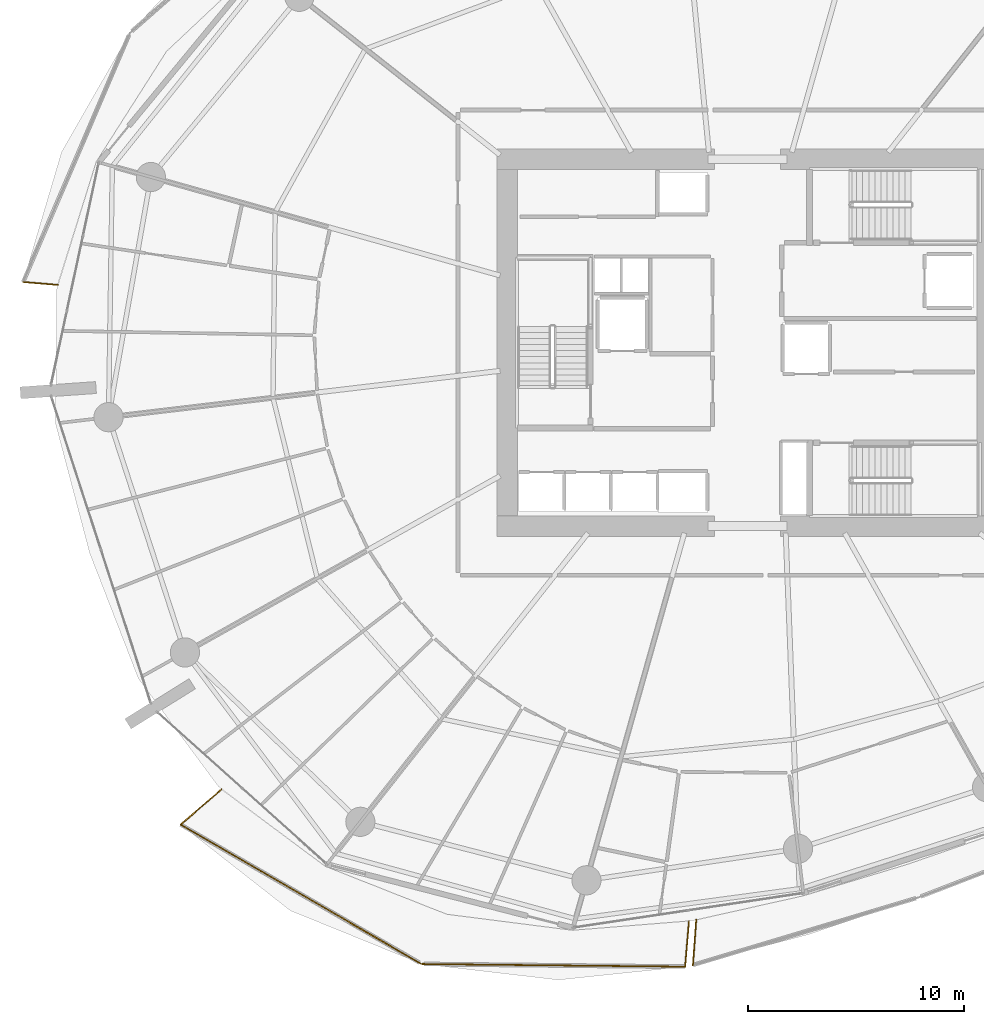
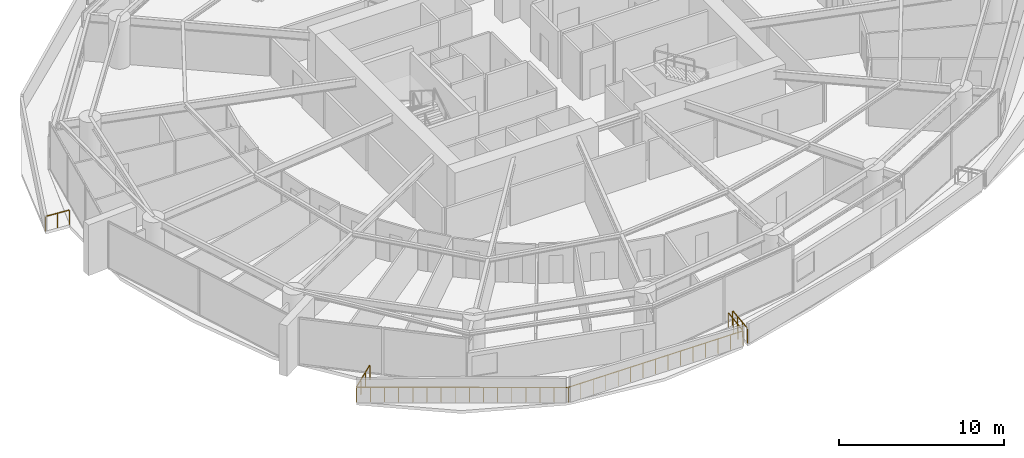
# One storey, part 24 of 30: 6 railings.
"""IFC4 building model written with IfcOpenShell, lengths in metres."""

from ifc_helpers import new_model, si_unit, direction, frame, origin, origin_2d, place, context, subcontext, project, spatial, rectangle, extrude, material, type_object, element, save


model = new_model("IFC4")

# Units and contexts
model_context = context("Model", 3, precision=1e-05, world=origin(), true_north=direction((0.0, 1.0)))
body_context = subcontext(model_context, "Body", "Model", "MODEL_VIEW")
ifc_project = project(units=[si_unit("LENGTHUNIT", "METRE"), si_unit("AREAUNIT", "SQUARE_METRE"), si_unit("VOLUMEUNIT", "CUBIC_METRE"), si_unit("PLANEANGLEUNIT", "RADIAN"), si_unit("MASSUNIT", "GRAM", prefix="KILO")], contexts=[model_context])

# Site, building, storey
site_placement = place(None, origin())
site = spatial("IfcSite", under=ifc_project, at=site_placement, CompositionType="ELEMENT")
building_placement = place(site_placement, origin())
building = spatial("IfcBuilding", under=site, at=building_placement, Name="Kazma Halo Residences", CompositionType="ELEMENT")
storey_placement = place(building_placement, frame((0.0, 0.0, 56.39990234375)))
storey = spatial("IfcBuildingStorey", under=building, at=storey_placement, Name="L13", CompositionType="ELEMENT", Elevation=56.39990234375)

# Railings
ifc_material = material(Name="Aluminium AW-6063 T6 Brushed Cap Rail", Category="aluminium")
railing_type = type_object("IfcRailingType", Name="RLG-BAL-CAP-1120", PredefinedType="BALUSTRADE", material=ifc_material)
railing_1_placement = place(storey_placement, frame((14.953125, 44.80419921875, 0.0)))
element("IfcRailing", 1, at=railing_1_placement, inside=storey, type_object=railing_type, Name="L13 NW wave balcony guard 4", PredefinedType="BALUSTRADE", context=body_context, shape_type="SweptSolid", body=[
    extrude(rectangle(XDim=0.050048828125, YDim=0.050048828125, at=origin_2d()), frame((0.04248046875, -0.003662109375, 1.09521484375), z_axis=(0.996416340817, -0.084584134162, 0.0), x_axis=(0.084584134162, 0.996416340817, 0.0)), (0.0, 0.0, 1.0), 1.516845703125),
    extrude(rectangle(XDim=0.0400390625, YDim=0.0400390625, at=origin_2d()), origin(), (0.0, 0.0, 1.0), 1.05810546875),
    extrude(rectangle(XDim=0.0400390625, YDim=0.0400390625, at=origin_2d()), frame((0.798095703125, -0.06787109375, 0.0)), (0.0, 0.0, 1.0), 1.05810546875),
    extrude(rectangle(XDim=0.0400390625, YDim=0.0400390625, at=origin_2d()), frame((1.59619140625, -0.135498046875, 0.0)), (0.0, 0.0, 1.0), 1.05810546875),
])
railing_2_placement = place(storey_placement, frame((24.124267578125, 21.354736328125, 0.0)))
element("IfcRailing", 2, at=railing_2_placement, inside=storey, type_object=railing_type, Name="L13 SW wave balcony guard 1", PredefinedType="BALUSTRADE", context=body_context, shape_type="SweptSolid", body=[
    extrude(rectangle(XDim=0.050048828125, YDim=0.050048828125, at=origin_2d()), frame((-0.0322265625, -0.02783203125, 1.09521484375), z_axis=(-0.756405022064, -0.65410354119, 0.0), x_axis=(0.65410354119, -0.756405022064, 0.0)), (0.0, 0.0, 1.0), 2.4111328125),
    extrude(rectangle(XDim=0.0400390625, YDim=0.0400390625, at=origin_2d()), origin(), (0.0, 0.0, 1.0), 1.05810546875),
    extrude(rectangle(XDim=0.0400390625, YDim=0.0400390625, at=origin_2d()), frame((-0.62939453125, -0.544189453125, 0.0)), (0.0, 0.0, 1.0), 1.05810546875),
    extrude(rectangle(XDim=0.0400390625, YDim=0.0400390625, at=origin_2d()), frame((-1.2587890625, -1.088623046875, 0.0)), (0.0, 0.0, 1.0), 1.05810546875),
    extrude(rectangle(XDim=0.0400390625, YDim=0.0400390625, at=origin_2d()), frame((-1.88818359375, -1.6328125, 0.0)), (0.0, 0.0, 1.0), 1.05810546875),
])
railing_3_placement = place(storey_placement, frame((22.236083984375, 19.721923828125, 0.0)))
element("IfcRailing", 3, at=railing_3_placement, inside=storey, type_object=railing_type, Name="L13 SW wave balcony guard 2", PredefinedType="BALUSTRADE", context=body_context, shape_type="SweptSolid", body=[
    extrude(rectangle(XDim=0.050048828125, YDim=0.050048828125, at=origin_2d()), frame((0.036865234375, -0.021240234375, 1.09521484375), z_axis=(0.865599969538, -0.500736150818, 0.0), x_axis=(0.500736150818, 0.865599969538, 0.0)), (0.0, 0.0, 1.0), 12.77490234375),
    extrude(rectangle(XDim=0.0400390625, YDim=0.0400390625, at=origin_2d()), origin(), (0.0, 0.0, 1.0), 1.05810546875),
    extrude(rectangle(XDim=0.0400390625, YDim=0.0400390625, at=origin_2d()), frame((0.7421875, -0.42919921875, 0.0)), (0.0, 0.0, 1.0), 1.05810546875),
    extrude(rectangle(XDim=0.0400390625, YDim=0.0400390625, at=origin_2d()), frame((1.484130859375, -0.858642578125, 0.0)), (0.0, 0.0, 1.0), 1.05810546875),
    extrude(rectangle(XDim=0.0400390625, YDim=0.0400390625, at=origin_2d()), frame((2.226318359375, -1.287841796875, 0.0)), (0.0, 0.0, 1.0), 1.05810546875),
    extrude(rectangle(XDim=0.0400390625, YDim=0.0400390625, at=origin_2d()), frame((2.968505859375, -1.71728515625, 0.0)), (0.0, 0.0, 1.0), 1.05810546875),
    extrude(rectangle(XDim=0.0400390625, YDim=0.0400390625, at=origin_2d()), frame((3.71044921875, -2.146484375, 0.0)), (0.0, 0.0, 1.0), 1.05810546875),
    extrude(rectangle(XDim=0.0400390625, YDim=0.0400390625, at=origin_2d()), frame((4.45263671875, -2.57568359375, 0.0)), (0.0, 0.0, 1.0), 1.05810546875),
    extrude(rectangle(XDim=0.0400390625, YDim=0.0400390625, at=origin_2d()), frame((5.19482421875, -3.005126953125, 0.0)), (0.0, 0.0, 1.0), 1.05810546875),
    extrude(rectangle(XDim=0.0400390625, YDim=0.0400390625, at=origin_2d()), frame((5.936767578125, -3.434326171875, 0.0)), (0.0, 0.0, 1.0), 1.05810546875),
    extrude(rectangle(XDim=0.0400390625, YDim=0.0400390625, at=origin_2d()), frame((6.678955078125, -3.86376953125, 0.0)), (0.0, 0.0, 1.0), 1.05810546875),
    extrude(rectangle(XDim=0.0400390625, YDim=0.0400390625, at=origin_2d()), frame((7.421142578125, -4.29296875, 0.0)), (0.0, 0.0, 1.0), 1.05810546875),
    extrude(rectangle(XDim=0.0400390625, YDim=0.0400390625, at=origin_2d()), frame((8.1630859375, -4.72216796875, 0.0)), (0.0, 0.0, 1.0), 1.05810546875),
    extrude(rectangle(XDim=0.0400390625, YDim=0.0400390625, at=origin_2d()), frame((8.9052734375, -5.151611328125, 0.0)), (0.0, 0.0, 1.0), 1.05810546875),
    extrude(rectangle(XDim=0.0400390625, YDim=0.0400390625, at=origin_2d()), frame((9.6474609375, -5.580810546875, 0.0)), (0.0, 0.0, 1.0), 1.05810546875),
    extrude(rectangle(XDim=0.0400390625, YDim=0.0400390625, at=origin_2d()), frame((10.389404296875, -6.01025390625, 0.0)), (0.0, 0.0, 1.0), 1.05810546875),
    extrude(rectangle(XDim=0.0400390625, YDim=0.0400390625, at=origin_2d()), frame((11.131591796875, -6.439453125, 0.0)), (0.0, 0.0, 1.0), 1.05810546875),
])
railing_4_placement = place(storey_placement, frame((33.36767578125, 13.282470703125, 0.0)))
element("IfcRailing", 4, at=railing_4_placement, inside=storey, type_object=railing_type, Name="L13 SW wave balcony guard 3", PredefinedType="BALUSTRADE", context=body_context, shape_type="SweptSolid", body=[
    extrude(rectangle(XDim=0.050048828125, YDim=0.050048828125, at=origin_2d()), frame((0.04248046875, -0.00048828125, 1.09521484375), z_axis=(0.999947591404, -0.010237892591, 0.0), x_axis=(0.010237892591, 0.999947591404, 0.0)), (0.0, 0.0, 1.0), 12.1005859375),
    extrude(rectangle(XDim=0.0400390625, YDim=0.0400390625, at=origin_2d()), origin(), (0.0, 0.0, 1.0), 1.05810546875),
    extrude(rectangle(XDim=0.0400390625, YDim=0.0400390625, at=origin_2d()), frame((0.870361328125, -0.0087890625, 0.0)), (0.0, 0.0, 1.0), 1.05810546875),
    extrude(rectangle(XDim=0.0400390625, YDim=0.0400390625, at=origin_2d()), frame((1.74072265625, -0.017822265625, 0.0)), (0.0, 0.0, 1.0), 1.05810546875),
    extrude(rectangle(XDim=0.0400390625, YDim=0.0400390625, at=origin_2d()), frame((2.611083984375, -0.02685546875, 0.0)), (0.0, 0.0, 1.0), 1.05810546875),
    extrude(rectangle(XDim=0.0400390625, YDim=0.0400390625, at=origin_2d()), frame((3.4814453125, -0.03564453125, 0.0)), (0.0, 0.0, 1.0), 1.05810546875),
    extrude(rectangle(XDim=0.0400390625, YDim=0.0400390625, at=origin_2d()), frame((4.351806640625, -0.04443359375, 0.0)), (0.0, 0.0, 1.0), 1.05810546875),
    extrude(rectangle(XDim=0.0400390625, YDim=0.0400390625, at=origin_2d()), frame((5.22216796875, -0.053466796875, 0.0)), (0.0, 0.0, 1.0), 1.05810546875),
    extrude(rectangle(XDim=0.0400390625, YDim=0.0400390625, at=origin_2d()), frame((6.092529296875, -0.0625, 0.0)), (0.0, 0.0, 1.0), 1.05810546875),
    extrude(rectangle(XDim=0.0400390625, YDim=0.0400390625, at=origin_2d()), frame((6.962890625, -0.0712890625, 0.0)), (0.0, 0.0, 1.0), 1.05810546875),
    extrude(rectangle(XDim=0.0400390625, YDim=0.0400390625, at=origin_2d()), frame((7.833251953125, -0.080078125, 0.0)), (0.0, 0.0, 1.0), 1.05810546875),
    extrude(rectangle(XDim=0.0400390625, YDim=0.0400390625, at=origin_2d()), frame((8.70361328125, -0.089111328125, 0.0)), (0.0, 0.0, 1.0), 1.05810546875),
    extrude(rectangle(XDim=0.0400390625, YDim=0.0400390625, at=origin_2d()), frame((9.573974609375, -0.09814453125, 0.0)), (0.0, 0.0, 1.0), 1.05810546875),
    extrude(rectangle(XDim=0.0400390625, YDim=0.0400390625, at=origin_2d()), frame((10.4443359375, -0.10693359375, 0.0)), (0.0, 0.0, 1.0), 1.05810546875),
    extrude(rectangle(XDim=0.0400390625, YDim=0.0400390625, at=origin_2d()), frame((11.314697265625, -0.11572265625, 0.0)), (0.0, 0.0, 1.0), 1.05810546875),
    extrude(rectangle(XDim=0.0400390625, YDim=0.0400390625, at=origin_2d()), frame((12.18505859375, -0.124755859375, 0.0)), (0.0, 0.0, 1.0), 1.05810546875),
])
railing_5_placement = place(storey_placement, frame((45.552734375, 13.15771484375, 0.0)))
element("IfcRailing", 5, at=railing_5_placement, inside=storey, type_object=railing_type, Name="L13 SW wave balcony guard 4", PredefinedType="BALUSTRADE", context=body_context, shape_type="SweptSolid", body=[
    extrude(rectangle(XDim=0.050048828125, YDim=0.050048828125, at=origin_2d()), frame((0.003662109375, 0.04248046875, 1.09521484375), z_axis=(0.084522527602, 0.996421568578, 0.0), x_axis=(-0.996421568578, 0.084522527602, 0.0)), (0.0, 0.0, 1.0), 2.03515625),
    extrude(rectangle(XDim=0.0400390625, YDim=0.0400390625, at=origin_2d()), origin(), (0.0, 0.0, 1.0), 1.05810546875),
    extrude(rectangle(XDim=0.0400390625, YDim=0.0400390625, at=origin_2d()), frame((0.059814453125, 0.7041015625, 0.0)), (0.0, 0.0, 1.0), 1.05810546875),
    extrude(rectangle(XDim=0.0400390625, YDim=0.0400390625, at=origin_2d()), frame((0.119384765625, 1.408447265625, 0.0)), (0.0, 0.0, 1.0), 1.05810546875),
    extrude(rectangle(XDim=0.0400390625, YDim=0.0400390625, at=origin_2d()), frame((0.17919921875, 2.112548828125, 0.0)), (0.0, 0.0, 1.0), 1.05810546875),
])
railing_6_placement = place(storey_placement, frame((46.064208984375, 15.320068359375, 0.0)))
element("IfcRailing", 6, at=railing_6_placement, inside=storey, type_object=railing_type, Name="L13 SSE wave balcony guard 1", PredefinedType="BALUSTRADE", context=body_context, shape_type="SweptSolid", body=[
    extrude(rectangle(XDim=0.050048828125, YDim=0.050048828125, at=origin_2d()), frame((-0.003173828125, -0.04248046875, 1.09521484375), z_axis=(-0.072331354439, -0.997380657104, 0.0), x_axis=(0.997380657104, -0.072331354439, 0.0)), (0.0, 0.0, 1.0), 2.010986328125),
    extrude(rectangle(XDim=0.0400390625, YDim=0.0400390625, at=origin_2d()), origin(), (0.0, 0.0, 1.0), 1.05810546875),
    extrude(rectangle(XDim=0.0400390625, YDim=0.0400390625, at=origin_2d()), frame((-0.050537109375, -0.69677734375, 0.0)), (0.0, 0.0, 1.0), 1.05810546875),
    extrude(rectangle(XDim=0.0400390625, YDim=0.0400390625, at=origin_2d()), frame((-0.10107421875, -1.393798828125, 0.0)), (0.0, 0.0, 1.0), 1.05810546875),
    extrude(rectangle(XDim=0.0400390625, YDim=0.0400390625, at=origin_2d()), frame((-0.151611328125, -2.090576171875, 0.0)), (0.0, 0.0, 1.0), 1.05810546875),
])

save(model, "model.ifc")
